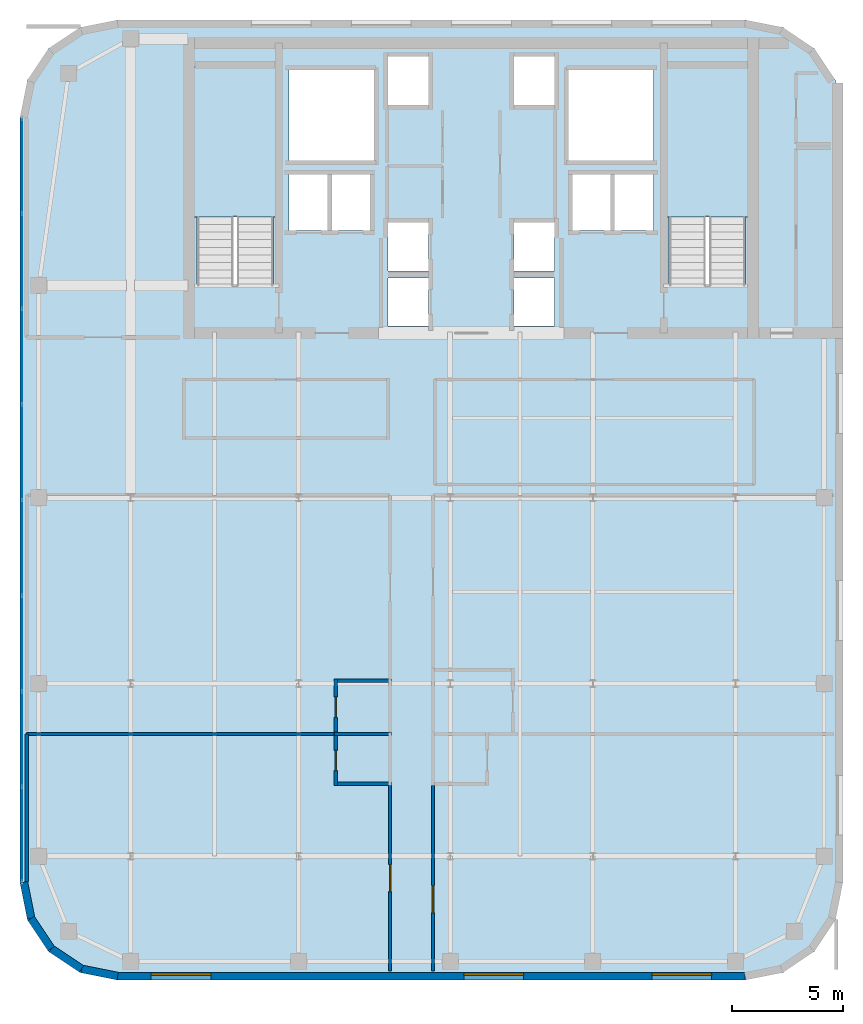
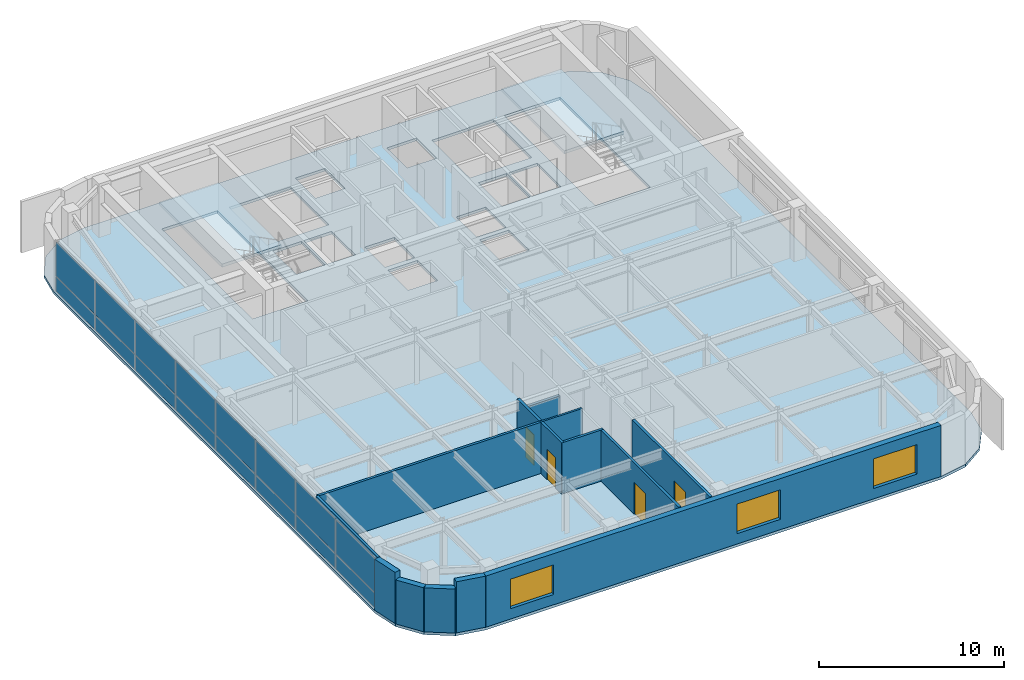
# One storey, part 14 of 19: 16 plates, 14 walls, 4 doors, 3 slabs, 3 windows, 7 openings, 3 elements without a shape of their own.
"""IFC4 building model written with IfcOpenShell, lengths in metres."""

from ifc_helpers import new_model, si_unit, direction, frame, frame_2d, origin, origin_2d, place, context, subcontext, project, spatial, polyline, rectangle, outline, extrude, source, transform, mapped, material, layer, layer_set, type_object, type_shapes, element, fill, aggregate, save


model = new_model("IFC4")

# Units and contexts
model_context = context("Model", 3, precision=1e-05, world=origin(), true_north=direction((0.0, 1.0)))
body_context = subcontext(model_context, "Body", "Model", "MODEL_VIEW")
ifc_project = project(units=[si_unit("LENGTHUNIT", "METRE"), si_unit("AREAUNIT", "SQUARE_METRE"), si_unit("VOLUMEUNIT", "CUBIC_METRE"), si_unit("PLANEANGLEUNIT", "RADIAN"), si_unit("MASSUNIT", "GRAM", prefix="KILO")], contexts=[model_context])

# Site, building, storey
site_placement = place(None, origin())
site = spatial("IfcSite", under=ifc_project, at=site_placement, CompositionType="ELEMENT")
building_placement = place(site_placement, origin())
building = spatial("IfcBuilding", under=site, at=building_placement, Name="Tolvann Quenvar Hotel", CompositionType="ELEMENT")
storey_placement = place(building_placement, frame((0.0, 0.0, 223.89990234375)))
storey = spatial("IfcBuildingStorey", under=building, at=storey_placement, Name="L59", CompositionType="ELEMENT", Elevation=223.89990234375)

# Stair, slab
ifc_material_1 = material(Name="Concrete N40 (40 MPa)", Category="concrete")
stair_type = type_object("IfcStairType", Name="STAIR", PredefinedType="HALF_TURN_STAIR", material=ifc_material_1)
stair_1_placement = place(storey_placement, origin())
stair_1 = element("IfcStair", 1, at=stair_1_placement, inside=storey, type_object=stair_type, Name="L59 ST-C1", PredefinedType="HALF_TURN_STAIR")
ifc_layer_1 = layer(ifc_material_1, 0.199951171875)
ifc_layer_set_1 = layer_set([ifc_layer_1], Name="Concrete N40 (40 MPa)")
slab_type_1 = type_object("IfcSlabType", Name="SLAB_LANDING", PredefinedType="LANDING", material=ifc_layer_set_1)
slab_1_placement = place(storey_placement, frame((0.0, 0.0, 1.5751953125)))
slab_1 = element("IfcSlab", 2, at=slab_1_placement, type_object=slab_type_1, Name="ST-C1 landing 1", PredefinedType="LANDING", context=body_context, shape_type="SweptSolid", body=[
    extrude(outline(polyline([(14.179931640625, 37.10498046875), (14.179931640625, 43.8798828125), (10.469970703125, 43.8798828125), (10.469970703125, 37.10498046875), (14.179931640625, 37.10498046875)])), origin(), (0.0, 0.0, 1.0), 0.199951171875),
])
aggregate(stair_1, [slab_1])

stair_2_placement = place(storey_placement, origin())
stair_2 = element("IfcStair", 3, at=stair_2_placement, inside=storey, type_object=stair_type, Name="L59 ST-C2", PredefinedType="HALF_TURN_STAIR")
slab_2_placement = place(storey_placement, frame((0.0, 0.0, 1.5751953125)))
slab_2 = element("IfcSlab", 4, at=slab_2_placement, type_object=slab_type_1, Name="ST-C2 landing 1", PredefinedType="LANDING", context=body_context, shape_type="SweptSolid", body=[
    extrude(outline(polyline([(35.530029296875, 37.10498046875), (35.530029296875, 43.8798828125), (31.820068359375, 43.8798828125), (31.820068359375, 37.10498046875), (35.530029296875, 37.10498046875)])), origin(), (0.0, 0.0, 1.0), 0.199951171875),
])
aggregate(stair_2, [slab_2])

# Slab
ifc_layer_2 = layer(ifc_material_1, 0.179931640625)
ifc_layer_set_2 = layer_set([ifc_layer_2], Name="Concrete N40 (40 MPa)")
slab_type_2 = type_object("IfcSlabType", Name="SLAB_TWR_180", PredefinedType="FLOOR", material=ifc_layer_set_2)
slab_3_placement = place(storey_placement, frame((0.0, 0.0, -0.179931640625)))
element("IfcSlab", 5, at=slab_3_placement, inside=storey, type_object=slab_type_2, Name="Level L59 Structural Floor Slab", PredefinedType="FLOOR", context=body_context, shape_type="SweptSolid", body=[
    extrude(outline(polyline([(2.60009765625, 7.0), (2.934814453125, 5.316162109375), (3.888671875, 3.888671875), (5.316162109375, 2.934814453125), (7.0, 2.60009765625), (35.39990234375, 2.60009765625), (37.083740234375, 2.934814453125), (38.51123046875, 3.888671875), (39.465087890625, 5.316162109375), (39.800048828125, 7.0), (39.800048828125, 41.60009765625), (39.465087890625, 43.28369140625), (38.51123046875, 44.711181640625), (37.083740234375, 45.6650390625), (35.39990234375, 46.0), (7.0, 46.0), (5.316162109375, 45.6650390625), (3.888671875, 44.711181640625), (2.934814453125, 43.28369140625), (2.60009765625, 41.60009765625), (2.60009765625, 7.0)]), holes=[polyline([(31.949951171875, 34.02490234375), (31.949951171875, 43.800048828125), (35.39990234375, 43.800048828125), (35.39990234375, 34.02490234375), (31.949951171875, 34.02490234375)]), polyline([(27.39990234375, 43.75), (31.25, 43.75), (31.25, 39.64990234375), (27.39990234375, 39.64990234375), (27.39990234375, 43.75)]), polyline([(29.449951171875, 39.02001953125), (31.25, 39.02001953125), (31.25, 36.47998046875), (29.449951171875, 36.47998046875), (29.449951171875, 39.02001953125)]), polyline([(27.574951171875, 39.02001953125), (29.324951171875, 39.02001953125), (29.324951171875, 36.47998046875), (27.574951171875, 36.47998046875), (27.574951171875, 39.02001953125)]), polyline([(24.929931640625, 36.840087890625), (26.77001953125, 36.840087890625), (26.77001953125, 34.659912109375), (24.929931640625, 34.659912109375), (24.929931640625, 36.840087890625)]), polyline([(24.929931640625, 44.340087890625), (26.77001953125, 44.340087890625), (26.77001953125, 42.159912109375), (24.929931640625, 42.159912109375), (24.929931640625, 44.340087890625)]), polyline([(24.929931640625, 32.159912109375), (24.929931640625, 34.340087890625), (26.77001953125, 34.340087890625), (26.77001953125, 32.159912109375), (24.929931640625, 32.159912109375)]), polyline([(19.22998046875, 36.840087890625), (21.070068359375, 36.840087890625), (21.070068359375, 34.659912109375), (19.22998046875, 34.659912109375), (19.22998046875, 36.840087890625)]), polyline([(19.22998046875, 44.340087890625), (21.070068359375, 44.340087890625), (21.070068359375, 42.159912109375), (19.22998046875, 42.159912109375), (19.22998046875, 44.340087890625)]), polyline([(19.22998046875, 32.159912109375), (19.22998046875, 34.340087890625), (21.070068359375, 34.340087890625), (21.070068359375, 32.159912109375), (19.22998046875, 32.159912109375)]), polyline([(14.75, 43.75), (18.60009765625, 43.75), (18.60009765625, 39.64990234375), (14.75, 39.64990234375), (14.75, 43.75)]), polyline([(16.675048828125, 39.02001953125), (18.425048828125, 39.02001953125), (18.425048828125, 36.47998046875), (16.675048828125, 36.47998046875), (16.675048828125, 39.02001953125)]), polyline([(14.75, 39.02001953125), (16.550048828125, 39.02001953125), (16.550048828125, 36.47998046875), (14.75, 36.47998046875), (14.75, 39.02001953125)]), polyline([(10.60009765625, 34.02490234375), (10.60009765625, 43.800048828125), (14.050048828125, 43.800048828125), (14.050048828125, 34.02490234375), (10.60009765625, 34.02490234375)])]), origin(), (0.0, 0.0, 1.0), 0.179931640625),
])

# Curtain wall, plates
ifc_material_2 = material(Name="Thermally broken anodised architectural aluminium 6063-T6 and laminated low-E glass", Category="aluminium")
ifc_layer_3 = layer(ifc_material_2, 0.179931640625)
ifc_layer_set_3 = layer_set([ifc_layer_3], Name="Thermally broken anodised architectural aluminium 6063-T6 and laminated low-E glass")
curtain_wall_type = type_object("IfcCurtainWallType", Name="CW_SYS_BAND_04", PredefinedType="USERDEFINED", material=ifc_layer_set_3)
curtain_wall_placement = place(storey_placement, origin())
curtain_wall = element("IfcCurtainWall", 6, at=curtain_wall_placement, inside=storey, type_object=curtain_wall_type, Name="Curtain Wall CW-BAND-04 (CWR-L59-E19)", ObjectType="UNITISED CURTAIN WALL", PredefinedType="USERDEFINED")
ifc_material_3 = material(Name="Low-iron laminated double glazing with solar-control coating", Category="glass")
ifc_layer_4 = layer(ifc_material_3, 0.028076171875)
ifc_layer_set_4 = layer_set([ifc_layer_4], Name="Low-iron laminated double glazing with solar-control coating")
plate_type = type_object("IfcPlateType", Name="CW_PAN_VISION_28", PredefinedType="CURTAIN_PANEL", material=ifc_layer_set_4)
shared_shape_1 = source(origin(), body_context, "Body", "SweptSolid", [
    extrude(rectangle(XDim=4.2158203125, YDim=0.028076171875, at=origin_2d()), origin(), (0.0, 0.0, 1.0), 0.9599609375),
])
plate_1_placement = place(storey_placement, frame((2.68994140625, 39.405029296875, 0.06005859375), z_axis=(0.0, 0.0, 1.0), x_axis=(0.0, -1.0, 0.0)))
plate_1 = element("IfcPlate", 7, at=plate_1_placement, type_object=plate_type, Name="CW-BAND-04 panel 1.1", PredefinedType="CURTAIN_PANEL", context=body_context, shape_type="MappedRepresentation", body=[
    mapped(shared_shape_1, transform((0.0, 0.0, 0.0), x_axis=(1.0, 0.0, 0.0), y_axis=(0.0, 1.0, 0.0), z_axis=(0.0, 0.0, 1.0), scale=1.0)),
])
plate_2_placement = place(storey_placement, frame((2.68994140625, 9.195068359375, 0.06005859375), z_axis=(0.0, 0.0, 1.0), x_axis=(0.0, -1.0, 0.0)))
plate_2 = element("IfcPlate", 8, at=plate_2_placement, type_object=plate_type, Name="CW-BAND-04 panel 8.1", PredefinedType="CURTAIN_PANEL", context=body_context, shape_type="MappedRepresentation", body=[
    mapped(shared_shape_1, transform((0.0, 0.0, 0.0), x_axis=(1.0, 0.0, 0.0), y_axis=(0.0, 1.0, 0.0), z_axis=(0.0, 0.0, 1.0), scale=1.0)),
])
shared_shape_2 = source(origin(), body_context, "Body", "SweptSolid", [
    extrude(rectangle(XDim=4.2158203125, YDim=0.028076171875, at=origin_2d()), origin(), (0.0, 0.0, 1.0), 2.22998046875),
])
plate_3_placement = place(storey_placement, frame((2.68994140625, 39.405029296875, 1.080078125), z_axis=(0.0, 0.0, 1.0), x_axis=(0.0, -1.0, 0.0)))
plate_3 = element("IfcPlate", 9, at=plate_3_placement, type_object=plate_type, Name="CW-BAND-04 panel 1.2", PredefinedType="CURTAIN_PANEL", context=body_context, shape_type="MappedRepresentation", body=[
    mapped(shared_shape_2, transform((0.0, 0.0, 0.0), x_axis=(1.0, 0.0, 0.0), y_axis=(0.0, 1.0, 0.0), z_axis=(0.0, 0.0, 1.0), scale=1.0)),
])
plate_4_placement = place(storey_placement, frame((2.68994140625, 9.195068359375, 1.080078125), z_axis=(0.0, 0.0, 1.0), x_axis=(0.0, -1.0, 0.0)))
plate_4 = element("IfcPlate", 10, at=plate_4_placement, type_object=plate_type, Name="CW-BAND-04 panel 8.2", PredefinedType="CURTAIN_PANEL", context=body_context, shape_type="MappedRepresentation", body=[
    mapped(shared_shape_2, transform((0.0, 0.0, 0.0), x_axis=(1.0, 0.0, 0.0), y_axis=(0.0, 1.0, 0.0), z_axis=(0.0, 0.0, 1.0), scale=1.0)),
])
shared_shape_3 = source(origin(), body_context, "Body", "SweptSolid", [
    extrude(rectangle(XDim=4.250732421875, YDim=0.028076171875, at=origin_2d()), origin(), (0.0, 0.0, 1.0), 0.9599609375),
])
plate_5_placement = place(storey_placement, frame((2.68994140625, 35.101806640625, 0.06005859375), z_axis=(0.0, 0.0, 1.0), x_axis=(0.0, -1.0, 0.0)))
plate_5 = element("IfcPlate", 11, at=plate_5_placement, type_object=plate_type, Name="CW-BAND-04 panel 2.1", PredefinedType="CURTAIN_PANEL", context=body_context, shape_type="MappedRepresentation", body=[
    mapped(shared_shape_3, transform((0.0, 0.0, 0.0), x_axis=(1.0, 0.0, 0.0), y_axis=(0.0, 1.0, 0.0), z_axis=(0.0, 0.0, 1.0), scale=1.0)),
])
plate_6_placement = place(storey_placement, frame((2.68994140625, 30.781005859375, 0.06005859375), z_axis=(0.0, 0.0, 1.0), x_axis=(0.0, -1.0, 0.0)))
plate_6 = element("IfcPlate", 12, at=plate_6_placement, type_object=plate_type, Name="CW-BAND-04 panel 3.1", PredefinedType="CURTAIN_PANEL", context=body_context, shape_type="MappedRepresentation", body=[
    mapped(shared_shape_3, transform((0.0, 0.0, 0.0), x_axis=(1.0, 0.0, 0.0), y_axis=(0.0, 1.0, 0.0), z_axis=(0.0, 0.0, 1.0), scale=1.0)),
])
plate_7_placement = place(storey_placement, frame((2.68994140625, 26.46044921875, 0.06005859375), z_axis=(0.0, 0.0, 1.0), x_axis=(0.0, -1.0, 0.0)))
plate_7 = element("IfcPlate", 13, at=plate_7_placement, type_object=plate_type, Name="CW-BAND-04 panel 4.1", PredefinedType="CURTAIN_PANEL", context=body_context, shape_type="MappedRepresentation", body=[
    mapped(shared_shape_3, transform((0.0, 0.0, 0.0), x_axis=(1.0, 0.0, 0.0), y_axis=(0.0, 1.0, 0.0), z_axis=(0.0, 0.0, 1.0), scale=1.0)),
])
plate_8_placement = place(storey_placement, frame((2.68994140625, 22.1396484375, 0.06005859375), z_axis=(0.0, 0.0, 1.0), x_axis=(0.0, -1.0, 0.0)))
plate_8 = element("IfcPlate", 14, at=plate_8_placement, type_object=plate_type, Name="CW-BAND-04 panel 5.1", PredefinedType="CURTAIN_PANEL", context=body_context, shape_type="MappedRepresentation", body=[
    mapped(shared_shape_3, transform((0.0, 0.0, 0.0), x_axis=(1.0, 0.0, 0.0), y_axis=(0.0, 1.0, 0.0), z_axis=(0.0, 0.0, 1.0), scale=1.0)),
])
plate_9_placement = place(storey_placement, frame((2.68994140625, 17.81884765625, 0.06005859375), z_axis=(0.0, 0.0, 1.0), x_axis=(0.0, -1.0, 0.0)))
plate_9 = element("IfcPlate", 15, at=plate_9_placement, type_object=plate_type, Name="CW-BAND-04 panel 6.1", PredefinedType="CURTAIN_PANEL", context=body_context, shape_type="MappedRepresentation", body=[
    mapped(shared_shape_3, transform((0.0, 0.0, 0.0), x_axis=(1.0, 0.0, 0.0), y_axis=(0.0, 1.0, 0.0), z_axis=(0.0, 0.0, 1.0), scale=1.0)),
])
plate_10_placement = place(storey_placement, frame((2.68994140625, 13.498291015625, 0.06005859375), z_axis=(0.0, 0.0, 1.0), x_axis=(0.0, -1.0, 0.0)))
plate_10 = element("IfcPlate", 16, at=plate_10_placement, type_object=plate_type, Name="CW-BAND-04 panel 7.1", PredefinedType="CURTAIN_PANEL", context=body_context, shape_type="MappedRepresentation", body=[
    mapped(shared_shape_3, transform((0.0, 0.0, 0.0), x_axis=(1.0, 0.0, 0.0), y_axis=(0.0, 1.0, 0.0), z_axis=(0.0, 0.0, 1.0), scale=1.0)),
])
shared_shape_4 = source(origin(), body_context, "Body", "SweptSolid", [
    extrude(rectangle(XDim=4.250732421875, YDim=0.028076171875, at=origin_2d()), origin(), (0.0, 0.0, 1.0), 2.22998046875),
])
type_shapes(plate_type, [shared_shape_1, shared_shape_2, shared_shape_3, shared_shape_4])
plate_11_placement = place(storey_placement, frame((2.68994140625, 35.101806640625, 1.080078125), z_axis=(0.0, 0.0, 1.0), x_axis=(0.0, -1.0, 0.0)))
plate_11 = element("IfcPlate", 17, at=plate_11_placement, type_object=plate_type, Name="CW-BAND-04 panel 2.2", PredefinedType="CURTAIN_PANEL", context=body_context, shape_type="MappedRepresentation", body=[
    mapped(shared_shape_4, transform((0.0, 0.0, 0.0), x_axis=(1.0, 0.0, 0.0), y_axis=(0.0, 1.0, 0.0), z_axis=(0.0, 0.0, 1.0), scale=1.0)),
])
plate_12_placement = place(storey_placement, frame((2.68994140625, 30.781005859375, 1.080078125), z_axis=(0.0, 0.0, 1.0), x_axis=(0.0, -1.0, 0.0)))
plate_12 = element("IfcPlate", 18, at=plate_12_placement, type_object=plate_type, Name="CW-BAND-04 panel 3.2", PredefinedType="CURTAIN_PANEL", context=body_context, shape_type="MappedRepresentation", body=[
    mapped(shared_shape_4, transform((0.0, 0.0, 0.0), x_axis=(1.0, 0.0, 0.0), y_axis=(0.0, 1.0, 0.0), z_axis=(0.0, 0.0, 1.0), scale=1.0)),
])
plate_13_placement = place(storey_placement, frame((2.68994140625, 26.46044921875, 1.080078125), z_axis=(0.0, 0.0, 1.0), x_axis=(0.0, -1.0, 0.0)))
plate_13 = element("IfcPlate", 19, at=plate_13_placement, type_object=plate_type, Name="CW-BAND-04 panel 4.2", PredefinedType="CURTAIN_PANEL", context=body_context, shape_type="MappedRepresentation", body=[
    mapped(shared_shape_4, transform((0.0, 0.0, 0.0), x_axis=(1.0, 0.0, 0.0), y_axis=(0.0, 1.0, 0.0), z_axis=(0.0, 0.0, 1.0), scale=1.0)),
])
plate_14_placement = place(storey_placement, frame((2.68994140625, 22.1396484375, 1.080078125), z_axis=(0.0, 0.0, 1.0), x_axis=(0.0, -1.0, 0.0)))
plate_14 = element("IfcPlate", 20, at=plate_14_placement, type_object=plate_type, Name="CW-BAND-04 panel 5.2", PredefinedType="CURTAIN_PANEL", context=body_context, shape_type="MappedRepresentation", body=[
    mapped(shared_shape_4, transform((0.0, 0.0, 0.0), x_axis=(1.0, 0.0, 0.0), y_axis=(0.0, 1.0, 0.0), z_axis=(0.0, 0.0, 1.0), scale=1.0)),
])
plate_15_placement = place(storey_placement, frame((2.68994140625, 17.81884765625, 1.080078125), z_axis=(0.0, 0.0, 1.0), x_axis=(0.0, -1.0, 0.0)))
plate_15 = element("IfcPlate", 21, at=plate_15_placement, type_object=plate_type, Name="CW-BAND-04 panel 6.2", PredefinedType="CURTAIN_PANEL", context=body_context, shape_type="MappedRepresentation", body=[
    mapped(shared_shape_4, transform((0.0, 0.0, 0.0), x_axis=(1.0, 0.0, 0.0), y_axis=(0.0, 1.0, 0.0), z_axis=(0.0, 0.0, 1.0), scale=1.0)),
])
plate_16_placement = place(storey_placement, frame((2.68994140625, 13.498291015625, 1.080078125), z_axis=(0.0, 0.0, 1.0), x_axis=(0.0, -1.0, 0.0)))
plate_16 = element("IfcPlate", 22, at=plate_16_placement, type_object=plate_type, Name="CW-BAND-04 panel 7.2", PredefinedType="CURTAIN_PANEL", context=body_context, shape_type="MappedRepresentation", body=[
    mapped(shared_shape_4, transform((0.0, 0.0, 0.0), x_axis=(1.0, 0.0, 0.0), y_axis=(0.0, 1.0, 0.0), z_axis=(0.0, 0.0, 1.0), scale=1.0)),
])
aggregate(curtain_wall, [plate_1, plate_3, plate_5, plate_11, plate_6, plate_12, plate_7, plate_13, plate_8, plate_14, plate_9, plate_15, plate_10, plate_16, plate_2, plate_4])

# Walls
ifc_material_4 = material(Name="Kiln-fired red and buff architectural clay brickwork and terracotta masonry", Category="masonry")
ifc_layer_5 = layer(ifc_material_4, 0.35009765625)
ifc_layer_set_5 = layer_set([ifc_layer_5], Name="Kiln-fired red and buff architectural clay brickwork and terracotta masonry")
wall_type_1 = type_object("IfcWallType", Name="WALL_EXT_BRICK_350", PredefinedType="SOLIDWALL", material=ifc_layer_set_5)
for number, where, z_axis, x_axis, name in (
    (23, (3.099609375, 5.384521484375, 0.0), (0.0, 0.0, 1.0), (0.555623290322, -0.831434158098, 0.0), "Exterior Chicago Brick Wall L59-E01"),
    (24, (4.014892578125, 4.014892578125, 0.0), (0.0, 0.0, 1.0), (0.831434158098, -0.555623290322, 0.0), "Exterior Chicago Brick Wall L59-E02"),
):
    element("IfcWall", number, at=place(storey_placement, frame(where, z_axis=z_axis, x_axis=x_axis)), inside=storey, type_object=wall_type_1, Name=name, PredefinedType="SOLIDWALL", context=body_context, shape_type="SweptSolid", body=[
        extrude(rectangle(XDim=1.647216796875, YDim=0.35009765625, at=frame_2d((0.82373046875, 0.0))), origin(), (0.0, 0.0, 1.0), 2.900146484375),
    ])
wall_1_placement = place(storey_placement, frame((5.384521484375, 3.099609375, 0.0), z_axis=(0.0, 0.0, 1.0), x_axis=(0.980788844421, -0.195072403631, 0.0)))
element("IfcWall", 25, at=wall_1_placement, inside=storey, type_object=wall_type_1, Name="Exterior Chicago Brick Wall L59-E03", PredefinedType="SOLIDWALL", context=body_context, shape_type="SweptSolid", body=[
    extrude(rectangle(XDim=1.66455078125, YDim=0.35009765625, at=frame_2d((0.832275390625, 0.0))), origin(), (0.0, 0.0, 1.0), 3.3701171875),
])

# Wall, openings, windows
wall_2_placement = place(storey_placement, frame((7.01708984375, 2.77490234375, 0.0), z_axis=(0.0, 0.0, 1.0), x_axis=(1.0, 0.0, 0.0)))
wall_2 = element("IfcWall", 26, at=wall_2_placement, inside=storey, type_object=wall_type_1, Name="Exterior Chicago Brick Wall L59-E04", PredefinedType="SOLIDWALL", context=body_context, shape_type="SweptSolid", body=[
    extrude(rectangle(XDim=28.36572265625, YDim=0.35009765625, at=frame_2d((14.182861328125, 0.0))), origin(), (0.0, 0.0, 1.0), 3.3701171875),
])
opening_1_placement = place(wall_2_placement, frame((1.513916015625, 0.0, 0.679931640625)))
opening_1 = element("IfcOpeningElement", 27, at=opening_1_placement, cuts=wall_2, Name="Opening W-04", PredefinedType="OPENING", context=body_context, shape_type="SweptSolid", body=[
    extrude(rectangle(XDim=2.699951171875, YDim=1.949951171875, at=frame_2d((1.35009765625, 0.97509765625))), frame((0.0, 0.18505859375, 0.0), z_axis=(0.0, -1.0, 0.0), x_axis=(1.0, 0.0, 0.0)), (0.0, 0.0, 1.0), 0.3701171875),
])
opening_2_placement = place(wall_2_placement, frame((15.64697265625, 0.0, 0.679931640625)))
opening_2 = element("IfcOpeningElement", 28, at=opening_2_placement, cuts=wall_2, Name="Opening W-04", PredefinedType="OPENING", context=body_context, shape_type="SweptSolid", body=[
    extrude(rectangle(XDim=2.699951171875, YDim=1.949951171875, at=frame_2d((1.35009765625, 0.97509765625))), frame((0.0, 0.18505859375, 0.0), z_axis=(0.0, -1.0, 0.0), x_axis=(1.0, 0.0, 0.0)), (0.0, 0.0, 1.0), 0.3701171875),
])
opening_3_placement = place(wall_2_placement, frame((24.152099609375, 0.0, 0.679931640625)))
opening_3 = element("IfcOpeningElement", 29, at=opening_3_placement, cuts=wall_2, Name="Opening W-04", PredefinedType="OPENING", context=body_context, shape_type="SweptSolid", body=[
    extrude(rectangle(XDim=2.699951171875, YDim=1.949951171875, at=frame_2d((1.35009765625, 0.97509765625))), frame((0.0, 0.18505859375, 0.0), z_axis=(0.0, -1.0, 0.0), x_axis=(1.0, 0.0, 0.0)), (0.0, 0.0, 1.0), 0.3701171875),
])
ifc_material_5 = material(Name="Thermally broken bronze-anodised aluminium frame with double low-E glazing", Category="aluminium")
window_type = type_object("IfcWindowType", Name="WIN_STE_2700x2150", PartitioningType="TRIPLE_PANEL_HORIZONTAL", PredefinedType="WINDOW", material=ifc_material_5)
shared_shape_5 = source(origin(), body_context, "Body", "SweptSolid", [
    extrude(rectangle(XDim=2.699951171875, YDim=1.949951171875, at=frame_2d((1.35009765625, 0.97509765625))), frame((0.0, 0.090087890625, 0.0), z_axis=(0.0, -1.0, 0.0), x_axis=(1.0, 0.0, 0.0)), (0.0, 0.0, 1.0), 0.06005859375),
])
type_shapes(window_type, [shared_shape_5])
window_1_placement = place(opening_1_placement, origin())
window_1 = element("IfcWindow", 30, at=window_1_placement, inside=storey, type_object=window_type, Name="Chicago Window W-04 (EW-L59-E04-W01)", OverallHeight=1.949951171875, OverallWidth=2.699951171875, PartitioningType="TRIPLE_PANEL_HORIZONTAL", PredefinedType="WINDOW", context=body_context, shape_type="MappedRepresentation", body=[
    mapped(shared_shape_5, transform((0.0, 0.0, 0.0), x_axis=(1.0, 0.0, 0.0), y_axis=(0.0, 1.0, 0.0), z_axis=(0.0, 0.0, 1.0), scale=1.0)),
])
fill(opening_1, window_1)
window_2_placement = place(opening_2_placement, origin())
window_2 = element("IfcWindow", 31, at=window_2_placement, inside=storey, type_object=window_type, Name="Chicago Window W-04 (EW-L59-E04-W02)", OverallHeight=1.949951171875, OverallWidth=2.699951171875, PartitioningType="TRIPLE_PANEL_HORIZONTAL", PredefinedType="WINDOW", context=body_context, shape_type="MappedRepresentation", body=[
    mapped(shared_shape_5, transform((0.0, 0.0, 0.0), x_axis=(1.0, 0.0, 0.0), y_axis=(0.0, 1.0, 0.0), z_axis=(0.0, 0.0, 1.0), scale=1.0)),
])
fill(opening_2, window_2)
window_3_placement = place(opening_3_placement, origin())
window_3 = element("IfcWindow", 32, at=window_3_placement, inside=storey, type_object=window_type, Name="Chicago Window W-04 (EW-L59-E04-W03)", OverallHeight=1.949951171875, OverallWidth=2.699951171875, PartitioningType="TRIPLE_PANEL_HORIZONTAL", PredefinedType="WINDOW", context=body_context, shape_type="MappedRepresentation", body=[
    mapped(shared_shape_5, transform((0.0, 0.0, 0.0), x_axis=(1.0, 0.0, 0.0), y_axis=(0.0, 1.0, 0.0), z_axis=(0.0, 0.0, 1.0), scale=1.0)),
])
fill(opening_3, window_3)

# Walls
wall_3_placement = place(storey_placement, frame((2.77490234375, 7.01708984375, 0.0), z_axis=(0.0, 0.0, 1.0), x_axis=(0.195072403631, -0.980788844421, 0.0)))
element("IfcWall", 33, at=wall_3_placement, inside=storey, type_object=wall_type_1, Name="Exterior Chicago Brick Wall L59-E20", PredefinedType="SOLIDWALL", context=body_context, shape_type="SweptSolid", body=[
    extrude(rectangle(XDim=1.66455078125, YDim=0.35009765625, at=frame_2d((0.832275390625, 0.0))), origin(), (0.0, 0.0, 1.0), 3.3701171875),
])
ifc_material_6 = material(Name="Moisture-resistant acoustic plumbing wall assembly")
ifc_layer_6 = layer(ifc_material_6, 0.1201171875)
ifc_layer_set_6 = layer_set([ifc_layer_6], Name="Moisture-resistant acoustic plumbing wall assembly")
wall_type_2 = type_object("IfcWallType", Name="WALL_PART_BATH_120", PredefinedType="PLUMBINGWALL", material=ifc_layer_set_6)
wall_4_placement = place(storey_placement, frame((16.81005859375, 13.719970703125, 0.0), z_axis=(0.0, 0.0, 1.0), x_axis=(1.0, 0.0, 0.0)))
element("IfcWall", 34, at=wall_4_placement, inside=storey, type_object=wall_type_2, Name="Non-Rated Plumbing Partition PT-SPC-L59-ENS-WO01-N", PredefinedType="PLUMBINGWALL", context=body_context, shape_type="SweptSolid", body=[
    extrude(rectangle(XDim=2.58984375, YDim=0.1201171875, at=frame_2d((1.294921875, 0.0))), origin(), (0.0, 0.0, 1.0), 3.3701171875),
])

# Wall, opening, door
ifc_material_7 = material(Name="Acoustic twin-stud fire-rated gypsum plasterboard partition")
ifc_layer_7 = layer(ifc_material_7, 0.14990234375)
ifc_layer_set_7 = layer_set([ifc_layer_7], Name="Acoustic twin-stud fire-rated gypsum plasterboard partition")
wall_type_3 = type_object("IfcWallType", Name="WALL_PART_SUITE_150", PredefinedType="PARTITIONING", material=ifc_layer_set_7)
wall_5_placement = place(storey_placement, frame((16.8798828125, 11.39990234375, 0.0), z_axis=(0.0, 0.0, 1.0), x_axis=(0.0, 1.0, 0.0)))
wall_5 = element("IfcWall", 35, at=wall_5_placement, inside=storey, type_object=wall_type_3, Name="Interior Partition PT-SPC-L59-ENS-WO01-ENT", PredefinedType="PARTITIONING", context=body_context, shape_type="SweptSolid", body=[
    extrude(rectangle(XDim=2.39013671875, YDim=0.14990234375, at=frame_2d((1.195068359375, 0.0))), origin(), (0.0, 0.0, 1.0), 3.3701171875),
])
opening_4_placement = place(wall_5_placement, frame((0.6650390625, 0.0, 0.0)))
opening_4 = element("IfcOpeningElement", 36, at=opening_4_placement, cuts=wall_5, Name="Opening WD-01", PredefinedType="OPENING", context=body_context, shape_type="SweptSolid", body=[
    extrude(rectangle(XDim=0.919921875, YDim=2.010009765625, at=frame_2d((0.4599609375, 1.0048828125))), frame((0.0, 0.0849609375, 0.0), z_axis=(0.0, -1.0, 0.0), x_axis=(1.0, 0.0, 0.0)), (0.0, 0.0, 1.0), 0.169921875),
])
ifc_material_8 = material(Name="Solid-core American oak acoustic fire door leaf in steel frame", Category="steel")
door_type_1 = type_object("IfcDoorType", Name="DOOR_WC_920", OperationType="NOTDEFINED", PredefinedType="DOOR", material=ifc_material_8)
shared_shape_6 = source(origin(), body_context, "Body", "SweptSolid", [
    extrude(rectangle(XDim=0.919921875, YDim=2.010009765625, at=frame_2d((0.4599609375, 1.0048828125))), frame((0.0, 0.02490234375, 0.0), z_axis=(0.0, -1.0, 0.0), x_axis=(1.0, 0.0, 0.0)), (0.0, 0.0, 1.0), 0.050048828125),
])
type_shapes(door_type_1, [shared_shape_6])
door_1_placement = place(opening_4_placement, origin())
door_1 = element("IfcDoor", 37, at=door_1_placement, inside=storey, type_object=door_type_1, Name="Interior Door DOOR-SPC-L59-ENS-WO01", OperationType="SINGLE_SWING_RIGHT", OverallHeight=2.010009765625, OverallWidth=0.919921875, PredefinedType="DOOR", context=body_context, shape_type="MappedRepresentation", body=[
    mapped(shared_shape_6, transform((0.0, 0.0, 0.0), x_axis=(1.0, 0.0, 0.0), y_axis=(0.0, 1.0, 0.0), z_axis=(0.0, 0.0, 1.0), scale=1.0)),
])
fill(opening_4, door_1)

# Wall
wall_6_placement = place(storey_placement, frame((16.81005859375, 11.469970703125, 0.0), z_axis=(0.0, 0.0, 1.0), x_axis=(1.0, 0.0, 0.0)))
element("IfcWall", 38, at=wall_6_placement, inside=storey, type_object=wall_type_3, Name="Interior Partition PT-SPC-L59-ENS-WO01-S", PredefinedType="PARTITIONING", context=body_context, shape_type="SweptSolid", body=[
    extrude(rectangle(XDim=2.58984375, YDim=0.14990234375, at=frame_2d((1.294921875, 0.0))), origin(), (0.0, 0.0, 1.0), 3.3701171875),
])

# Wall, opening, door
wall_7_placement = place(storey_placement, frame((16.8798828125, 13.81005859375, 0.0), z_axis=(0.0, 0.0, 1.0), x_axis=(0.0, 1.0, 0.0)))
wall_7 = element("IfcWall", 39, at=wall_7_placement, inside=storey, type_object=wall_type_3, Name="Interior Partition PT-SPC-L59-ENS-WO02-ENT", PredefinedType="PARTITIONING", context=body_context, shape_type="SweptSolid", body=[
    extrude(rectangle(XDim=2.389892578125, YDim=0.14990234375, at=frame_2d((1.19482421875, 0.0))), origin(), (0.0, 0.0, 1.0), 3.3701171875),
])
opening_5_placement = place(wall_7_placement, frame((0.6650390625, 0.0, 0.0)))
opening_5 = element("IfcOpeningElement", 40, at=opening_5_placement, cuts=wall_7, Name="Opening WD-01", PredefinedType="OPENING", context=body_context, shape_type="SweptSolid", body=[
    extrude(rectangle(XDim=0.919921875, YDim=2.010009765625, at=frame_2d((0.4599609375, 1.0048828125))), frame((0.0, 0.0849609375, 0.0), z_axis=(0.0, -1.0, 0.0), x_axis=(1.0, 0.0, 0.0)), (0.0, 0.0, 1.0), 0.169921875),
])
door_2_placement = place(opening_5_placement, origin())
door_2 = element("IfcDoor", 41, at=door_2_placement, inside=storey, type_object=door_type_1, Name="Interior Door DOOR-SPC-L59-ENS-WO02", OperationType="SINGLE_SWING_LEFT", OverallHeight=2.010009765625, OverallWidth=0.919921875, PredefinedType="DOOR", context=body_context, shape_type="MappedRepresentation", body=[
    mapped(shared_shape_6, transform((0.0, 0.0, 0.0), x_axis=(1.0, 0.0, 0.0), y_axis=(0.0, 1.0, 0.0), z_axis=(0.0, 0.0, 1.0), scale=1.0)),
])
fill(opening_5, door_2)

# Wall
wall_8_placement = place(storey_placement, frame((16.81005859375, 16.1298828125, 0.0), z_axis=(0.0, 0.0, 1.0), x_axis=(1.0, 0.0, 0.0)))
element("IfcWall", 42, at=wall_8_placement, inside=storey, type_object=wall_type_3, Name="Interior Partition PT-SPC-L59-ENS-WO02-N", PredefinedType="PARTITIONING", context=body_context, shape_type="SweptSolid", body=[
    extrude(rectangle(XDim=2.58984375, YDim=0.14990234375, at=frame_2d((1.294921875, 0.0))), origin(), (0.0, 0.0, 1.0), 2.758056640625),
])

# Wall, opening, door
wall_9_placement = place(storey_placement, frame((19.330078125, 3.0048828125, 0.0), z_axis=(0.0, 0.0, 1.0), x_axis=(0.0, 1.0, 0.0)))
wall_9 = element("IfcWall", 43, at=wall_9_placement, inside=storey, type_object=wall_type_3, Name="Interior Partition PT-SPC-L59-RM-WO01-ENT", PredefinedType="PARTITIONING", context=body_context, shape_type="SweptSolid", body=[
    extrude(rectangle(XDim=8.385009765625, YDim=0.14990234375, at=frame_2d((4.1923828125, 0.0))), origin(), (0.0, 0.0, 1.0), 3.3701171875),
])
opening_6_placement = place(wall_9_placement, frame((3.590087890625, 0.0, 0.0)))
opening_6 = element("IfcOpeningElement", 44, at=opening_6_placement, cuts=wall_9, Name="Opening SD-02", PredefinedType="OPENING", context=body_context, shape_type="SweptSolid", body=[
    extrude(rectangle(XDim=1.219970703125, YDim=2.080078125, at=frame_2d((0.60986328125, 1.0400390625))), frame((0.0, 0.0849609375, 0.0), z_axis=(0.0, -1.0, 0.0), x_axis=(1.0, 0.0, 0.0)), (0.0, 0.0, 1.0), 0.169921875),
])
door_type_2 = type_object("IfcDoorType", Name="DOOR_VIP_1220", OperationType="NOTDEFINED", PredefinedType="DOOR", material=ifc_material_8)
shared_shape_7 = source(origin(), body_context, "Body", "SweptSolid", [
    extrude(rectangle(XDim=1.219970703125, YDim=2.080078125, at=frame_2d((0.60986328125, 1.0400390625))), frame((0.0, 0.02490234375, 0.0), z_axis=(0.0, -1.0, 0.0), x_axis=(1.0, 0.0, 0.0)), (0.0, 0.0, 1.0), 0.050048828125),
])
type_shapes(door_type_2, [shared_shape_7])
door_3_placement = place(opening_6_placement, origin())
door_3 = element("IfcDoor", 45, at=door_3_placement, inside=storey, type_object=door_type_2, Name="Interior Door DOOR-SPC-L59-RM-WO01", OperationType="SINGLE_SWING_LEFT", OverallHeight=2.080078125, OverallWidth=1.219970703125, PredefinedType="DOOR", context=body_context, shape_type="MappedRepresentation", body=[
    mapped(shared_shape_7, transform((0.0, 0.0, 0.0), x_axis=(1.0, 0.0, 0.0), y_axis=(0.0, 1.0, 0.0), z_axis=(0.0, 0.0, 1.0), scale=1.0)),
])
fill(opening_6, door_3)

# Walls
wall_10_placement = place(storey_placement, frame((2.89990234375, 13.719970703125, 0.0), z_axis=(0.0, 0.0, 1.0), x_axis=(1.0, 0.0, 0.0)))
element("IfcWall", 46, at=wall_10_placement, inside=storey, type_object=wall_type_3, Name="Interior Partition PT-SPC-L59-RM-WO01-E5", PredefinedType="PARTITIONING", context=body_context, shape_type="SweptSolid", body=[
    extrude(rectangle(XDim=13.960205078125, YDim=0.14990234375, at=frame_2d((6.97998046875, 0.0))), origin(), (0.0, 0.0, 1.0), 3.3701171875),
])
wall_11_placement = place(storey_placement, frame((2.89990234375, 7.0419921875, 0.0), z_axis=(0.0, 0.0, 1.0), x_axis=(0.0, 1.0, 0.0)))
element("IfcWall", 47, at=wall_11_placement, inside=storey, type_object=wall_type_3, Name="Interior Partition PT-SPC-L59-RM-WO01-E6", PredefinedType="PARTITIONING", context=body_context, shape_type="SweptSolid", body=[
    extrude(rectangle(XDim=6.677978515625, YDim=0.14990234375, at=frame_2d((3.3388671875, 0.0))), origin(), (0.0, 0.0, 1.0), 3.3701171875),
])

# Wall, opening, door
wall_12_placement = place(storey_placement, frame((21.27001953125, 3.0048828125, 0.0), z_axis=(0.0, 0.0, 1.0), x_axis=(0.0, 1.0, 0.0)))
wall_12 = element("IfcWall", 48, at=wall_12_placement, inside=storey, type_object=wall_type_3, Name="Interior Partition PT-SPC-L59-RM-EO01-ENT", PredefinedType="PARTITIONING", context=body_context, shape_type="SweptSolid", body=[
    extrude(rectangle(XDim=8.385009765625, YDim=0.14990234375, at=frame_2d((4.1923828125, 0.0))), origin(), (0.0, 0.0, 1.0), 3.3701171875),
])
opening_7_placement = place(wall_12_placement, frame((2.639892578125, 0.0, 0.0)))
opening_7 = element("IfcOpeningElement", 49, at=opening_7_placement, cuts=wall_12, Name="Opening SD-02", PredefinedType="OPENING", context=body_context, shape_type="SweptSolid", body=[
    extrude(rectangle(XDim=1.219970703125, YDim=2.080078125, at=frame_2d((0.60986328125, 1.0400390625))), frame((0.0, 0.0849609375, 0.0), z_axis=(0.0, -1.0, 0.0), x_axis=(1.0, 0.0, 0.0)), (0.0, 0.0, 1.0), 0.169921875),
])
door_4_placement = place(opening_7_placement, origin())
door_4 = element("IfcDoor", 50, at=door_4_placement, inside=storey, type_object=door_type_2, Name="Interior Door DOOR-SPC-L59-RM-EO01", OperationType="SINGLE_SWING_LEFT", OverallHeight=2.080078125, OverallWidth=1.219970703125, PredefinedType="DOOR", context=body_context, shape_type="MappedRepresentation", body=[
    mapped(shared_shape_7, transform((0.0, 0.0, 0.0), x_axis=(1.0, 0.0, 0.0), y_axis=(0.0, 1.0, 0.0), z_axis=(0.0, 0.0, 1.0), scale=1.0)),
])
fill(opening_7, door_4)

save(model, "model.ifc")
